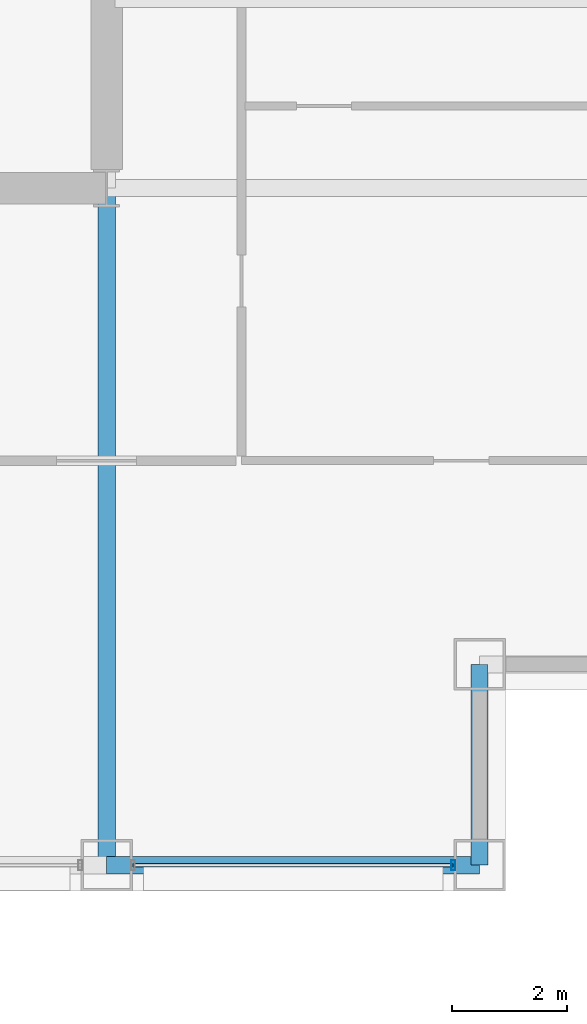
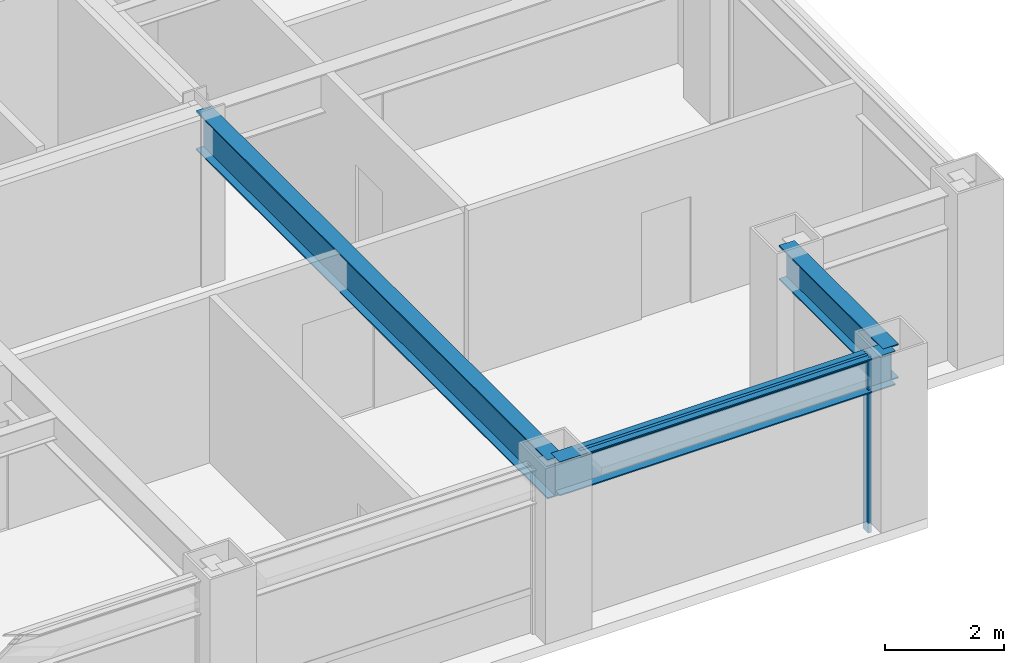
# One storey, part 10 of 29: 3 beams, 2 members, 1 element without a shape of its own.
"""IFC4 building model written with IfcOpenShell, lengths in metres."""

from ifc_helpers import new_model, si_unit, direction, frame, origin, origin_2d, place, context, subcontext, project, spatial, hollow_rectangle, i_section, extrude, material, layer, layer_set, material_profile, profile_set, type_object, element, aggregate, save


model = new_model("IFC4")

# Units and contexts
model_context = context("Model", 3, precision=1e-05, world=origin(), true_north=direction((0.0, 1.0)))
body_context = subcontext(model_context, "Body", "Model", "MODEL_VIEW")
ifc_project = project(units=[si_unit("LENGTHUNIT", "METRE"), si_unit("AREAUNIT", "SQUARE_METRE"), si_unit("VOLUMEUNIT", "CUBIC_METRE"), si_unit("PLANEANGLEUNIT", "RADIAN"), si_unit("MASSUNIT", "GRAM", prefix="KILO")], contexts=[model_context])

# Site, building, storey
site_placement = place(None, origin())
site = spatial("IfcSite", under=ifc_project, at=site_placement, CompositionType="ELEMENT")
building_placement = place(site_placement, origin())
building = spatial("IfcBuilding", under=site, at=building_placement, Name="Brelmoor Portico Tower", CompositionType="ELEMENT")
storey_placement = place(building_placement, frame((0.0, 0.0, 60.0)))
storey = spatial("IfcBuildingStorey", under=building, at=storey_placement, Name="L15", CompositionType="ELEMENT", Elevation=60.0)

# Beams
ifc_material_1 = material(Name="Steel Q355B", Category="steel")
ifc_material_profile_1 = material_profile(ifc_material_1, i_section(OverallWidth=0.300048828125, OverallDepth=0.800048828125, WebThickness=0.013916015625, FlangeThickness=0.02587890625, at=origin_2d()), Name="HN 800x300x14x26")
ifc_profile_set_1 = profile_set([ifc_material_profile_1], Name="Steel Q355B")
beam_type_1 = type_object("IfcBeamType", Name="BM-PG-800", PredefinedType="BEAM", material=ifc_profile_set_1)
beam_1_placement = place(storey_placement, frame((14.550048828125, -21.550048828125, 3.0), z_axis=(0.0, 1.0, 0.0), x_axis=(-1.0, 0.0, 0.0)))
element("IfcBeam", 1, at=beam_1_placement, inside=storey, type_object=beam_type_1, Name="L15 Primary Floor Girder PG-11", PredefinedType="BEAM", context=body_context, shape_type="SweptSolid", body=[
    extrude(i_section(OverallWidth=0.300048828125, OverallDepth=0.800048828125, WebThickness=0.013916015625, FlangeThickness=0.02587890625, at=origin_2d()), origin(), (0.0, 0.0, 1.0), 11.800048828125),
])
ifc_material_profile_2 = material_profile(ifc_material_1, i_section(OverallWidth=0.300048828125, OverallDepth=0.699951171875, WebThickness=0.012939453125, FlangeThickness=0.02392578125, at=origin_2d()), Name="HN 700x300x13x24")
ifc_profile_set_2 = profile_set([ifc_material_profile_2], Name="Steel Q355B")
beam_type_2 = type_object("IfcBeamType", Name="BM-SP-700", PredefinedType="SPANDREL", material=ifc_profile_set_2)
beam_2_placement = place(storey_placement, frame((14.550048828125, -21.550048828125, 3.050048828125), z_axis=(1.0, 0.0, 0.0), x_axis=(0.0, 1.0, 0.0)))
element("IfcBeam", 2, at=beam_2_placement, inside=storey, type_object=beam_type_2, Name="L15 Perimeter Spandrel Beam SP-05", PredefinedType="SPANDREL", context=body_context, shape_type="SweptSolid", body=[
    extrude(i_section(OverallWidth=0.300048828125, OverallDepth=0.699951171875, WebThickness=0.012939453125, FlangeThickness=0.02392578125, at=origin_2d()), origin(), (0.0, 0.0, 1.0), 6.5),
])
beam_3_placement = place(storey_placement, frame((21.050048828125, -21.550048828125, 3.050048828125), z_axis=(0.0, 1.0, 0.0), x_axis=(-1.0, 0.0, 0.0)))
element("IfcBeam", 3, at=beam_3_placement, inside=storey, type_object=beam_type_2, Name="L15 Perimeter Spandrel Beam SP-20", PredefinedType="SPANDREL", context=body_context, shape_type="SweptSolid", body=[
    extrude(i_section(OverallWidth=0.300048828125, OverallDepth=0.699951171875, WebThickness=0.012939453125, FlangeThickness=0.02392578125, at=origin_2d()), origin(), (0.0, 0.0, 1.0), 3.5),
])

# Curtain wall, members
ifc_material_2 = material(Name="Anodised Aluminium Alloy 6063-T6", Category="aluminium")
ifc_layer = layer(ifc_material_2, 0.179931640625)
ifc_layer_set = layer_set([ifc_layer], Name="Anodised Aluminium Alloy 6063-T6")
curtain_wall_type = type_object("IfcCurtainWallType", Name="CW-TOWER-Z1-XB", PredefinedType="NOTDEFINED", material=ifc_layer_set)
curtain_wall_placement = place(storey_placement, origin())
curtain_wall = element("IfcCurtainWall", 4, at=curtain_wall_placement, inside=storey, type_object=curtain_wall_type, Name="L15 Curtain Wall CW-L15-1R-4", PredefinedType="NOTDEFINED")
ifc_material_profile_3 = material_profile(ifc_material_2, hollow_rectangle(XDim=0.06494140625, YDim=0.179931640625, WallThickness=0.00390625, at=origin_2d()), Name="ALU MULLION 65x180")
ifc_profile_set_3 = profile_set([ifc_material_profile_3], Name="Anodised Aluminium Alloy 6063-T6")
member_type_1 = type_object("IfcMemberType", Name="MB-CW-MULL-180", PredefinedType="MULLION", material=ifc_profile_set_3)
member_1_placement = place(storey_placement, frame((20.590087890625, -21.550048828125, -0.199951171875), z_axis=(0.0, 0.0, 1.0), x_axis=(1.0, 0.0, 0.0)))
member_1 = element("IfcMember", 5, at=member_1_placement, type_object=member_type_1, Name="CW-L15-1R-4 Mullion 01", PredefinedType="MULLION", context=body_context, shape_type="SweptSolid", body=[
    extrude(hollow_rectangle(XDim=0.06494140625, YDim=0.179931640625, WallThickness=0.00390625, at=origin_2d()), origin(), (0.0, 0.0, 1.0), 3.599853515625),
])
ifc_material_profile_4 = material_profile(ifc_material_2, hollow_rectangle(XDim=0.06494140625, YDim=0.139892578125, WallThickness=0.00390625, at=origin_2d()), Name="ALU TRANSOM 65x140")
ifc_profile_set_4 = profile_set([ifc_material_profile_4], Name="Anodised Aluminium Alloy 6063-T6")
member_type_2 = type_object("IfcMemberType", Name="MB-CW-TRAN-140", PredefinedType="USERDEFINED", material=ifc_profile_set_4)
member_2_placement = place(storey_placement, frame((15.010009765625, -21.550048828125, 3.330078125), z_axis=(1.0, 0.0, 0.0), x_axis=(0.0, 1.0, 0.0)))
member_2 = element("IfcMember", 6, at=member_2_placement, type_object=member_type_2, Name="CW-L15-1R-4 Transom 1-00", ObjectType="TRANSOM", PredefinedType="USERDEFINED", context=body_context, shape_type="SweptSolid", body=[
    extrude(hollow_rectangle(XDim=0.06494140625, YDim=0.139892578125, WallThickness=0.00390625, at=origin_2d()), origin(), (0.0, 0.0, 1.0), 5.580078125),
])
aggregate(curtain_wall, [member_1, member_2])

save(model, "model.ifc")
